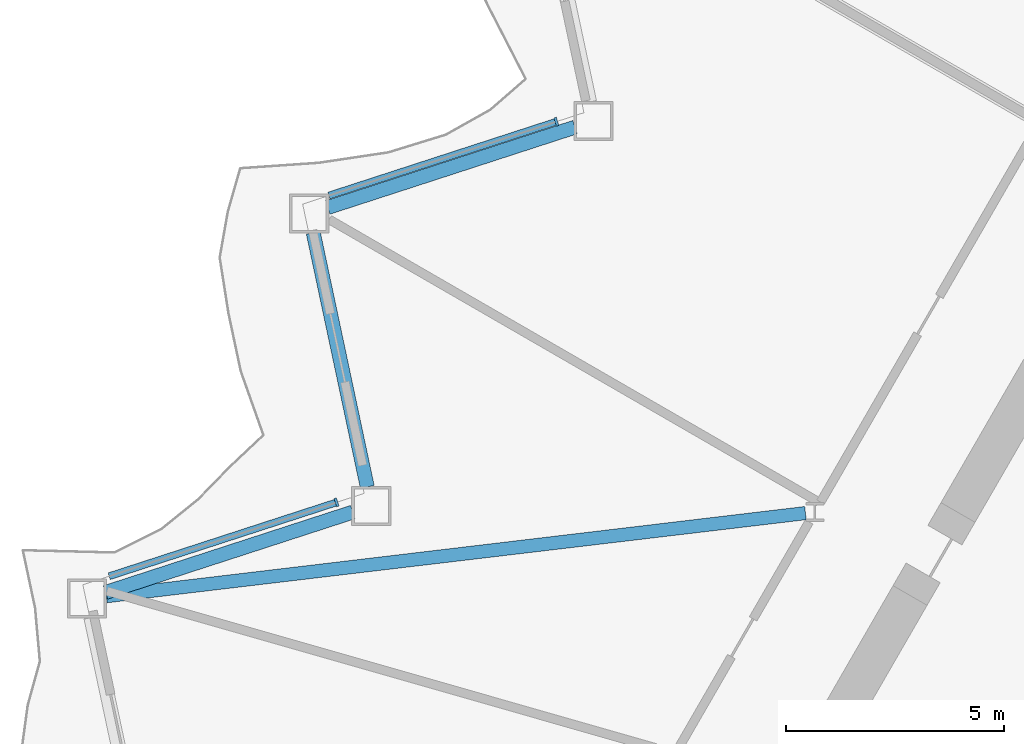
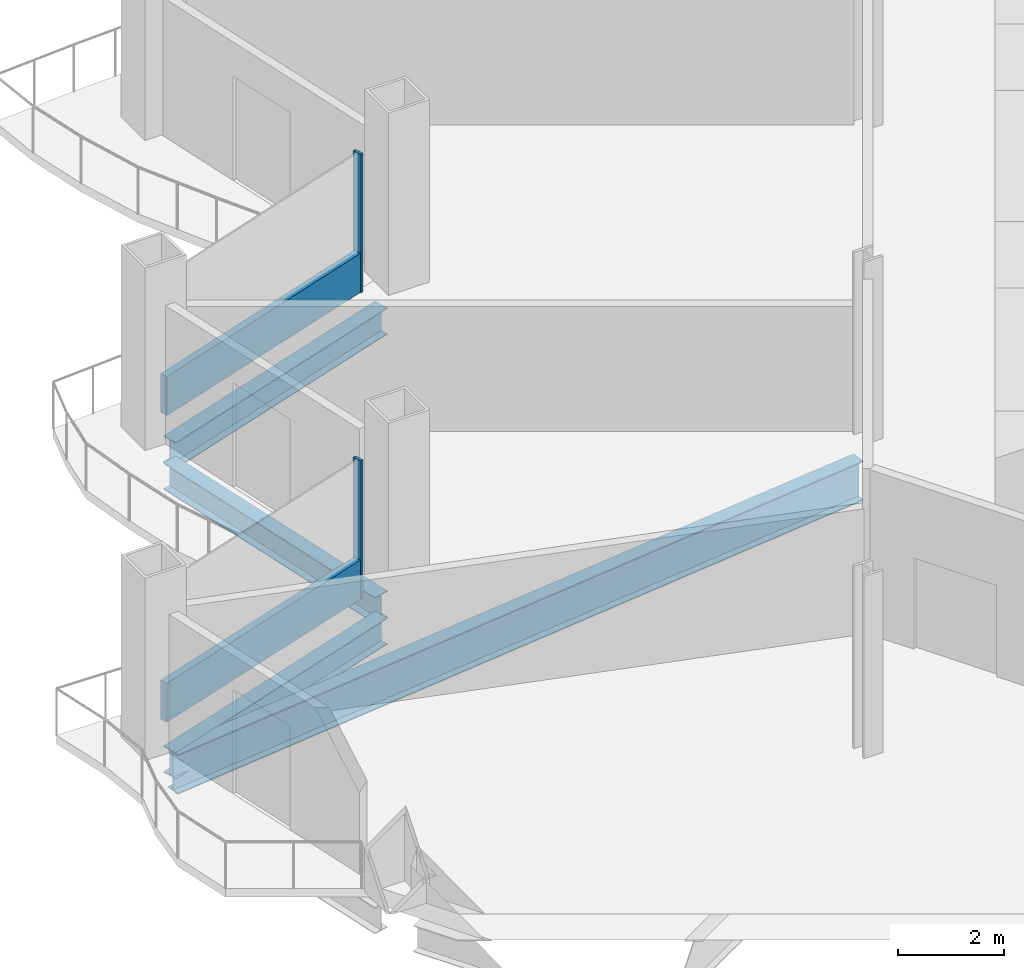
# One storey, part 4 of 21: 4 beams, 4 members, 2 elements without a shape of their own.
"""IFC4 building model written with IfcOpenShell, lengths in metres."""

from ifc_helpers import new_model, si_unit, direction, frame, origin, origin_2d, place, context, subcontext, project, spatial, rectangle, i_section, extrude, material, layer, layer_set, material_profile, profile_set, type_object, element, aggregate, save


model = new_model("IFC4")

# Units and contexts
model_context = context("Model", 3, precision=1e-05, world=origin(), true_north=direction((0.0, 1.0)))
body_context = subcontext(model_context, "Body", "Model", "MODEL_VIEW")
ifc_project = project(units=[si_unit("LENGTHUNIT", "METRE"), si_unit("AREAUNIT", "SQUARE_METRE"), si_unit("VOLUMEUNIT", "CUBIC_METRE"), si_unit("PLANEANGLEUNIT", "RADIAN"), si_unit("MASSUNIT", "GRAM", prefix="KILO")], contexts=[model_context])

# Site, building, storey
site_placement = place(None, origin())
site = spatial("IfcSite", under=ifc_project, at=site_placement, CompositionType="ELEMENT")
building_placement = place(site_placement, origin())
building = spatial("IfcBuilding", under=site, at=building_placement, Name="Cormorant Prow Tower", CompositionType="ELEMENT")
storey_placement = place(building_placement, frame((0.0, 0.0, 124.800048828125)))
storey = spatial("IfcBuildingStorey", under=building, at=storey_placement, Name="L26", CompositionType="ELEMENT", Elevation=124.800048828125)

# Curtain wall, member
ifc_material_1 = material(Name="Aluminium 6063-T6", Category="aluminium")
ifc_layer = layer(ifc_material_1, 0.199951171875)
ifc_layer_set = layer_set([ifc_layer], Name="Aluminium 6063-T6")
curtain_wall_type = type_object("IfcCurtainWallType", Name="Office unitised curtain wall 200", PredefinedType="NOTDEFINED", material=ifc_layer_set)
curtain_wall_1_placement = place(storey_placement, origin())
curtain_wall_1 = element("IfcCurtainWall", 1, at=curtain_wall_1_placement, inside=storey, type_object=curtain_wall_type, Name="Office curtain wall WNW06", PredefinedType="NOTDEFINED")
ifc_material_2 = material(Name="Aluminium 6063-T6", Category="aluminium")
ifc_material_profile_1 = material_profile(ifc_material_2, rectangle(XDim=0.199951171875, YDim=0.06005859375, at=origin_2d()), Name="Office mullion 60x200")
ifc_profile_set_1 = profile_set([ifc_material_profile_1], Name="Aluminium 6063-T6")
member_type_1 = type_object("IfcMemberType", Name="Office mullion 60x200", PredefinedType="MULLION", material=ifc_profile_set_1)
member_1_placement = place(storey_placement, frame((-21.4248046875, 5.974365234375, 0.0), z_axis=(0.0, 0.0, 1.0), x_axis=(0.309017072623, -0.951056490871, 0.0)))
member_1 = element("IfcMember", 2, at=member_1_placement, type_object=member_type_1, Name="Office mullion WNW06", PredefinedType="MULLION", context=body_context, shape_type="SweptSolid", body=[
    extrude(rectangle(XDim=0.199951171875, YDim=0.06005859375, at=origin_2d()), origin(), (0.0, 0.0, 1.0), 3.18896484375),
])

curtain_wall_2_placement = place(storey_placement, origin())
curtain_wall_2 = element("IfcCurtainWall", 3, at=curtain_wall_2_placement, inside=storey, type_object=curtain_wall_type, Name="Office curtain wall WNW08", PredefinedType="NOTDEFINED")
member_2_placement = place(storey_placement, frame((-26.468017578125, -2.760986328125, 0.0), z_axis=(0.0, 0.0, 1.0), x_axis=(0.309017072623, -0.951056490871, 0.0)))
member_2 = element("IfcMember", 4, at=member_2_placement, type_object=member_type_1, Name="Office mullion WNW08", PredefinedType="MULLION", context=body_context, shape_type="SweptSolid", body=[
    extrude(rectangle(XDim=0.199951171875, YDim=0.06005859375, at=origin_2d()), origin(), (0.0, 0.0, 1.0), 3.18896484375),
])

# Member
ifc_material_3 = material(Name="Terracotta", Category="masonry")
ifc_material_profile_2 = material_profile(ifc_material_3, rectangle(XDim=0.159912109375, YDim=0.89990234375, at=origin_2d()), Name="Office terracotta spandrel rail 160x900")
ifc_profile_set_2 = profile_set([ifc_material_profile_2], Name="Terracotta")
member_type_2 = type_object("IfcMemberType", Name="Office terracotta spandrel rail 160x900", PredefinedType="USERDEFINED", material=ifc_profile_set_2)
member_3_placement = place(storey_placement, frame((-21.453369140625, 5.965087890625, 0.449951171875), z_axis=(-0.951055118029, -0.309021297763, 0.0), x_axis=(0.309021297763, -0.951055118029, 0.0)))
member_3 = element("IfcMember", 5, at=member_3_placement, type_object=member_type_2, Name="Office spandrel rail WNW06", ObjectType="TRANSOM", PredefinedType="USERDEFINED", context=body_context, shape_type="SweptSolid", body=[
    extrude(rectangle(XDim=0.159912109375, YDim=0.89990234375, at=origin_2d()), origin(), (0.0, 0.0, 1.0), 5.45458984375),
])

aggregate(curtain_wall_1, [member_1, member_3])

member_4_placement = place(storey_placement, frame((-26.49658203125, -2.770263671875, 0.449951171875), z_axis=(-0.951059392051, -0.30900814357, 0.0), x_axis=(0.30900814357, -0.951059392051, 0.0)))
member_4 = element("IfcMember", 6, at=member_4_placement, type_object=member_type_2, Name="Office spandrel rail WNW08", ObjectType="TRANSOM", PredefinedType="USERDEFINED", context=body_context, shape_type="SweptSolid", body=[
    extrude(rectangle(XDim=0.159912109375, YDim=0.89990234375, at=origin_2d()), origin(), (0.0, 0.0, 1.0), 5.45458984375),
])

aggregate(curtain_wall_2, [member_2, member_4])

# Beams
ifc_material_4 = material(Name="Structural steel ASTM A992 Gr 50", Category="steel")
ifc_material_profile_3 = material_profile(ifc_material_4, i_section(OverallWidth=0.3046875, OverallDepth=0.914794921875, WebThickness=0.0166015625, FlangeThickness=0.02587890625, at=origin_2d()), Name="W36x160")
ifc_profile_set_3 = profile_set([ifc_material_profile_3], Name="Structural steel ASTM A992 Gr 50")
beam_type_1 = type_object("IfcBeamType", Name="Radial floor beam W36x160", PredefinedType="BEAM", material=ifc_profile_set_3)
beam_1_placement = place(storey_placement, frame((-15.70849609375, -3.00732421875, -0.857421875), z_axis=(-0.993009167646, -0.118037252474, 0.0), x_axis=(0.118037252474, -0.993009167646, 0.0)))
element("IfcBeam", 7, at=beam_1_placement, inside=storey, type_object=beam_type_1, Name="Radial floor beam FB1 4 L26", PredefinedType="BEAM", context=body_context, shape_type="SweptSolid", body=[
    extrude(i_section(OverallWidth=0.3046875, OverallDepth=0.914794921875, WebThickness=0.0166015625, FlangeThickness=0.02587890625, at=origin_2d()), origin(), (0.0, 0.0, 1.0), 16.15380859375),
])
ifc_material_5 = material(Name="Structural steel ASTM A992 Gr 50", Category="steel")
ifc_material_profile_4 = material_profile(ifc_material_5, i_section(OverallWidth=0.32373046875, OverallDepth=0.611083984375, WebThickness=0.0126953125, FlangeThickness=0.01904296875, at=origin_2d()), Name="W24x104")
ifc_profile_set_4 = profile_set([ifc_material_profile_4], Name="Structural steel ASTM A992 Gr 50")
beam_type_2 = type_object("IfcBeamType", Name="Spandrel beam W24x104", PredefinedType="SPANDREL", material=ifc_profile_set_4)
beam_2_placement = place(storey_placement, frame((-20.99755859375, 5.847900390625, -0.70556640625), z_axis=(-0.951055430656, -0.309020335608, 0.0), x_axis=(0.309020335608, -0.951055430656, 0.0)))
element("IfcBeam", 8, at=beam_2_placement, inside=storey, type_object=beam_type_2, Name="Spandrel beam SB1 WNW06-WNW07 L26", PredefinedType="SPANDREL", context=body_context, shape_type="SweptSolid", body=[
    extrude(i_section(OverallWidth=0.32373046875, OverallDepth=0.611083984375, WebThickness=0.0126953125, FlangeThickness=0.01904296875, at=origin_2d()), origin(), (0.0, 0.0, 1.0), 5.96240234375),
])
for number, where, z_axis, x_axis, name in (
    (9, (-27.002685546875, 3.426025390625, -0.70556640625), (0.207920947907, -0.978145633033, 0.0), (0.978145633033, 0.207920947907, 0.0), "Spandrel beam SB1 WNW07-WNW08 L26"),
    (10, (-26.097412109375, -2.985595703125, -0.70556640625), (-0.951059340519, -0.309008302174, 0.0), (0.309008302174, -0.951059340519, 0.0), "Spandrel beam SB1 WNW08-WNW09 L26"),
):
    element("IfcBeam", number, at=place(storey_placement, frame(where, z_axis=z_axis, x_axis=x_axis)), inside=storey, type_object=beam_type_2, Name=name, PredefinedType="SPANDREL", context=body_context, shape_type="SweptSolid", body=[
        extrude(i_section(OverallWidth=0.32373046875, OverallDepth=0.611083984375, WebThickness=0.0126953125, FlangeThickness=0.01904296875, at=origin_2d()), origin(), (0.0, 0.0, 1.0), 5.962646484375),
    ])

save(model, "model.ifc")
